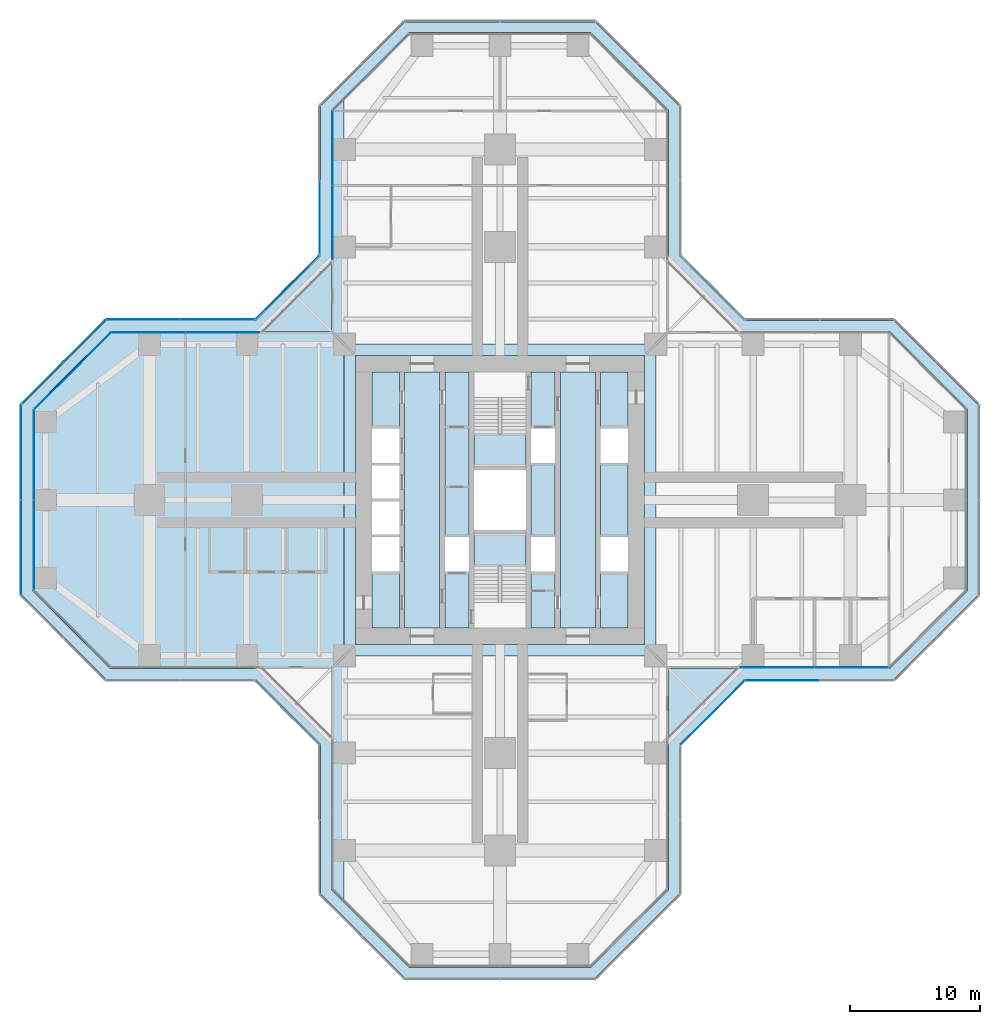
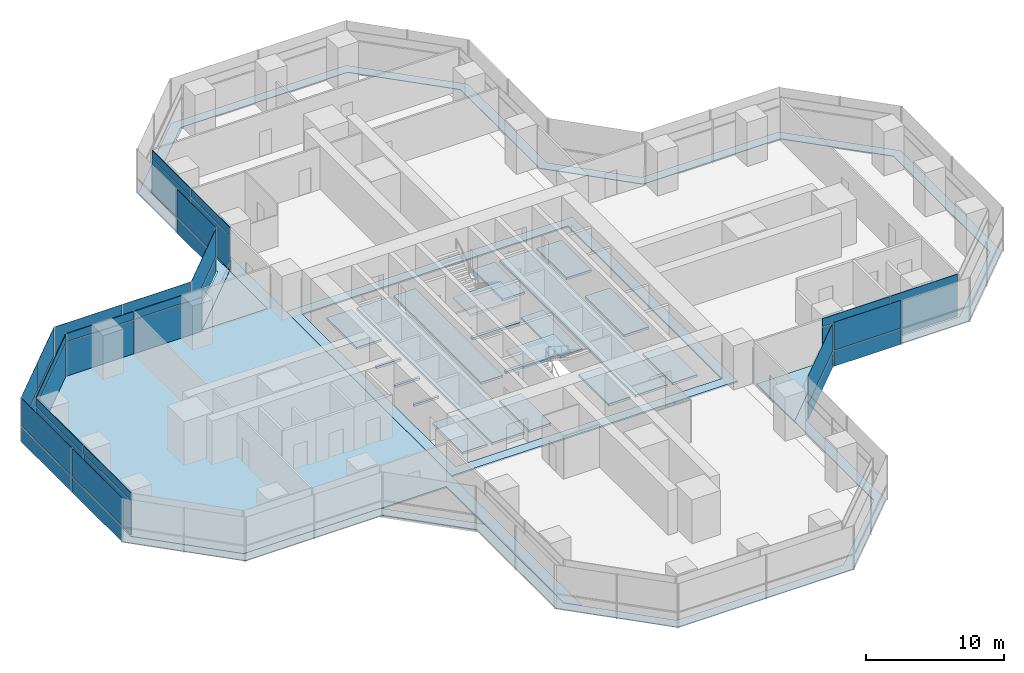
# One storey, part 15 of 22: 39 plates, 7 slabs, 14 elements without a shape of their own.
"""IFC4 building model written with IfcOpenShell, lengths in metres."""

from ifc_helpers import new_model, si_unit, direction, frame, origin, origin_2d, place, context, subcontext, project, spatial, polyline, rectangle, outline, extrude, material, layer, layer_set, type_object, element, aggregate, save


model = new_model("IFC4")

# Units and contexts
model_context = context("Model", 3, precision=1e-05, world=origin(), true_north=direction((0.0, 1.0)))
body_context = subcontext(model_context, "Body", "Model", "MODEL_VIEW")
ifc_project = project(units=[si_unit("LENGTHUNIT", "METRE"), si_unit("AREAUNIT", "SQUARE_METRE"), si_unit("VOLUMEUNIT", "CUBIC_METRE"), si_unit("PLANEANGLEUNIT", "RADIAN"), si_unit("MASSUNIT", "GRAM", prefix="KILO")], contexts=[model_context])

# Site, building, storey
site_placement = place(None, origin())
site = spatial("IfcSite", under=ifc_project, at=site_placement, CompositionType="ELEMENT")
building_placement = place(site_placement, origin())
building = spatial("IfcBuilding", under=site, at=building_placement, Name="Mizan Broadcast Tower", CompositionType="ELEMENT")
storey_placement = place(building_placement, frame((0.0, 0.0, 47.39990234375)))
storey = spatial("IfcBuildingStorey", under=building, at=storey_placement, Name="L08", CompositionType="ELEMENT", Elevation=47.39990234375)

# Plate
ifc_material_1 = material(Name="Aluminium grating", Category="aluminium")
ifc_layer_1 = layer(ifc_material_1, 0.050048828125)
ifc_layer_set_1 = layer_set([ifc_layer_1], Name="Aluminium grating")
plate_type_1 = type_object("IfcPlateType", Name="CAVITY GRATING", PredefinedType="USERDEFINED", material=ifc_layer_set_1)
plate_1_placement = place(storey_placement, frame((0.0, 0.0, -0.0498046875)))
element("IfcPlate", 1, at=plate_1_placement, inside=storey, type_object=plate_type_1, Name="Cavity grating L08", ObjectType="GRATING", PredefinedType="USERDEFINED", context=body_context, shape_type="SweptSolid", body=[
    extrude(outline(polyline([(13.820068359375, -18.839599609375), (18.839599609375, -13.820068359375), (30.339599609375, -13.820068359375), (36.820068359375, -7.339599609375), (36.820068359375, 7.339599609375), (30.339599609375, 13.820068359375), (18.839599609375, 13.820068359375), (13.820068359375, 18.839599609375), (13.820068359375, 30.339599609375), (7.339599609375, 36.820068359375), (-7.339599609375, 36.820068359375), (-13.820068359375, 30.339599609375), (-13.820068359375, 18.839599609375), (-18.839599609375, 13.820068359375), (-30.339599609375, 13.820068359375), (-36.820068359375, 7.339599609375), (-36.820068359375, -7.339599609375), (-30.339599609375, -13.820068359375), (-18.839599609375, -13.820068359375), (-13.820068359375, -18.839599609375), (-13.820068359375, -30.339599609375), (-7.339599609375, -36.820068359375), (7.339599609375, -36.820068359375), (13.820068359375, -30.339599609375), (13.820068359375, -18.839599609375)]), holes=[polyline([(36.0, 7.0), (36.0, -7.0), (30.0, -13.0), (18.5, -13.0), (13.0, -18.5), (13.0, -30.0), (7.0, -36.0), (-7.0, -36.0), (-13.0, -30.0), (-13.0, -18.5), (-18.5, -13.0), (-30.0, -13.0), (-36.0, -7.0), (-36.0, 7.0), (-30.0, 13.0), (-18.5, 13.0), (-13.0, 18.5), (-13.0, 30.0), (-7.0, 36.0), (7.0, 36.0), (13.0, 30.0), (13.0, 18.5), (18.5, 13.0), (30.0, 13.0), (36.0, 7.0)])]), origin(), (0.0, 0.0, 1.0), 0.0498046875),
])

# Slabs
ifc_material_2 = material(Name="Concrete C32/40", Category="concrete")
ifc_layer_2 = layer(ifc_material_2, 0.1298828125)
ifc_layer_set_2 = layer_set([ifc_layer_2], Name="Concrete C32/40")
slab_type_1 = type_object("IfcSlabType", Name="COMPOSITE DECK SLAB 130", PredefinedType="FLOOR", material=ifc_layer_set_2)
slab_1_placement = place(storey_placement, frame((0.0, 0.0, -0.1298828125)))
element("IfcSlab", 2, at=slab_1_placement, inside=storey, type_object=slab_type_1, Name="Floor slab L08 centre", PredefinedType="FLOOR", context=body_context, shape_type="SweptSolid", body=[
    extrude(outline(polyline([(-12.0, -12.0), (12.0, -12.0), (12.0, 12.0), (-12.0, 12.0), (-12.0, -12.0)]), holes=[polyline([(-11.14990234375, 11.14990234375), (11.14990234375, 11.14990234375), (11.14990234375, -11.14990234375), (-11.14990234375, -11.14990234375), (-11.14990234375, 11.14990234375)])]), origin(), (0.0, 0.0, 1.0), 0.1298828125),
])
slab_2_placement = place(storey_placement, frame((0.0, 0.0, -0.1298828125)))
element("IfcSlab", 3, at=slab_2_placement, inside=storey, type_object=slab_type_1, Name="Floor slab L08 west arm", PredefinedType="FLOOR", context=body_context, shape_type="SweptSolid", body=[
    extrude(outline(polyline([(-13.0, -30.0), (-12.0, -31.0), (-12.0, 31.0), (-13.0, 30.0), (-13.0, 13.0), (-30.0, 13.0), (-36.0, 7.0), (-36.0, -7.0), (-30.0, -13.0), (-13.0, -13.0), (-13.0, -30.0)])), origin(), (0.0, 0.0, 1.0), 0.1298828125),
])
ifc_material_3 = material(Name="Concrete C40/50", Category="concrete")
ifc_layer_3 = layer(ifc_material_3, 0.199951171875)
ifc_layer_set_3 = layer_set([ifc_layer_3], Name="Concrete C40/50")
slab_type_2 = type_object("IfcSlabType", Name="CORE FLOOR 200", PredefinedType="FLOOR", material=ifc_layer_set_3)
slab_3_placement = place(storey_placement, frame((0.0, 0.0, -0.199951171875)))
element("IfcSlab", 4, at=slab_3_placement, inside=storey, type_object=slab_type_2, Name="Core floor L08", PredefinedType="FLOOR", context=body_context, shape_type="SweptSolid", body=[
    extrude(outline(polyline([(-9.85009765625, -9.85009765625), (-7.75, -9.85009765625), (-7.75, -5.5), (-9.85009765625, -5.5), (-9.85009765625, -9.85009765625)])), origin(), (0.0, 0.0, 1.0), 0.199951171875),
    extrude(outline(polyline([(-9.85009765625, -2.85009765625), (-7.75, -2.85009765625), (-7.75, -2.64990234375), (-9.85009765625, -2.64990234375), (-9.85009765625, -2.85009765625)])), origin(), (0.0, 0.0, 1.0), 0.199951171875),
    extrude(outline(polyline([(-9.85009765625, -0.10009765625), (-7.75, -0.10009765625), (-7.75, 0.10009765625), (-9.85009765625, 0.10009765625), (-9.85009765625, -0.10009765625)])), origin(), (0.0, 0.0, 1.0), 0.199951171875),
    extrude(outline(polyline([(-9.85009765625, 2.64990234375), (-7.75, 2.64990234375), (-7.75, 2.85009765625), (-9.85009765625, 2.85009765625), (-9.85009765625, 2.64990234375)])), origin(), (0.0, 0.0, 1.0), 0.199951171875),
    extrude(outline(polyline([(-9.85009765625, 5.5), (-7.75, 5.5), (-7.75, 9.85009765625), (-9.85009765625, 9.85009765625), (-9.85009765625, 5.5)])), origin(), (0.0, 0.0, 1.0), 0.199951171875),
    extrude(outline(polyline([(-4.64990234375, 9.85009765625), (-7.35009765625, 9.85009765625), (-7.35009765625, -9.85009765625), (-4.64990234375, -9.85009765625), (-4.64990234375, 9.85009765625)])), origin(), (0.0, 0.0, 1.0), 0.199951171875),
    extrude(outline(polyline([(-4.25, -5.5), (-4.25, -9.85009765625), (-2.39990234375, -9.85009765625), (-2.39990234375, -5.5), (-4.25, -5.5)])), origin(), (0.0, 0.0, 1.0), 0.199951171875),
    extrude(outline(polyline([(-4.25, -2.85009765625), (-2.39990234375, -2.85009765625), (-2.39990234375, 9.85009765625), (-4.25, 9.85009765625), (-4.25, -2.85009765625)])), origin(), (0.0, 0.0, 1.0), 0.199951171875),
    extrude(outline(polyline([(2.0, -2.324951171875), (-2.0, -2.324951171875), (-2.0, -2.574951171875), (2.0, -2.574951171875), (2.0, -2.324951171875)])), origin(), (0.0, 0.0, 1.0), 0.199951171875),
    extrude(outline(polyline([(2.0, 2.574951171875), (-2.0, 2.574951171875), (-2.0, 2.324951171875), (2.0, 2.324951171875), (2.0, 2.574951171875)])), origin(), (0.0, 0.0, 1.0), 0.199951171875),
    extrude(outline(polyline([(4.25, -9.85009765625), (4.25, -5.5), (2.39990234375, -5.5), (2.39990234375, -9.85009765625), (4.25, -9.85009765625)])), origin(), (0.0, 0.0, 1.0), 0.199951171875),
    extrude(outline(polyline([(4.25, -2.85009765625), (4.25, 2.85009765625), (2.39990234375, 2.85009765625), (2.39990234375, -2.85009765625), (4.25, -2.85009765625)])), origin(), (0.0, 0.0, 1.0), 0.199951171875),
    extrude(outline(polyline([(4.25, 5.5), (4.25, 9.85009765625), (2.39990234375, 9.85009765625), (2.39990234375, 5.5), (4.25, 5.5)])), origin(), (0.0, 0.0, 1.0), 0.199951171875),
    extrude(outline(polyline([(4.64990234375, 9.85009765625), (4.64990234375, -9.85009765625), (7.35009765625, -9.85009765625), (7.35009765625, 9.85009765625), (4.64990234375, 9.85009765625)])), origin(), (0.0, 0.0, 1.0), 0.199951171875),
    extrude(outline(polyline([(9.85009765625, -9.85009765625), (9.85009765625, -5.5), (7.75, -5.5), (7.75, -9.85009765625), (9.85009765625, -9.85009765625)])), origin(), (0.0, 0.0, 1.0), 0.199951171875),
    extrude(outline(polyline([(7.75, 2.85009765625), (7.75, -2.85009765625), (9.85009765625, -2.85009765625), (9.85009765625, 2.85009765625), (7.75, 2.85009765625)])), origin(), (0.0, 0.0, 1.0), 0.199951171875),
    extrude(outline(polyline([(9.85009765625, 5.5), (9.85009765625, 9.85009765625), (7.75, 9.85009765625), (7.75, 5.5), (9.85009765625, 5.5)])), origin(), (0.0, 0.0, 1.0), 0.199951171875),
])

# Curtain wall, plates
ifc_material_4 = material(Name="Aluminium framed glazing", Category="aluminium")
curtain_wall_type_1 = type_object("IfcCurtainWallType", Name="INNER SKIN LOW ZONE", PredefinedType="USERDEFINED", material=ifc_material_4)
curtain_wall_1_placement = place(storey_placement, origin())
curtain_wall_1 = element("IfcCurtainWall", 5, at=curtain_wall_1_placement, inside=storey, type_object=curtain_wall_type_1, Name="Inner skin low zone L08 E side", ObjectType="INNER SKIN LOW ZONE", PredefinedType="USERDEFINED")
ifc_material_5 = material(Name="Double glazing, clear low-e", Category="glass")
ifc_layer_4 = layer(ifc_material_5, 0.028076171875)
ifc_layer_set_4 = layer_set([ifc_layer_4], Name="Double glazing, clear low-e")
plate_type_2 = type_object("IfcPlateType", Name="INNER SKIN GLAZING UNIT", PredefinedType="CURTAIN_PANEL", material=ifc_layer_set_4)
plate_2_placement = place(storey_placement, frame((21.379638671875, -12.89990234375, 0.0), z_axis=(0.0, 0.0, 1.0), x_axis=(1.0, 0.0, 0.0)))
plate_2 = element("IfcPlate", 6, at=plate_2_placement, type_object=plate_type_2, Name="Inner skin low zone L08 E side panel 1.1", PredefinedType="CURTAIN_PANEL", context=body_context, shape_type="SweptSolid", body=[
    extrude(rectangle(XDim=5.639404296875, YDim=0.028076171875, at=origin_2d()), origin(), (0.0, 0.0, 1.0), 3.0),
])
plate_3_placement = place(storey_placement, frame((27.078857421875, -12.89990234375, 0.0), z_axis=(0.0, 0.0, 1.0), x_axis=(1.0, 0.0, 0.0)))
plate_3 = element("IfcPlate", 7, at=plate_3_placement, type_object=plate_type_2, Name="Inner skin low zone L08 E side panel 2.1", PredefinedType="CURTAIN_PANEL", context=body_context, shape_type="SweptSolid", body=[
    extrude(rectangle(XDim=5.639404296875, YDim=0.028076171875, at=origin_2d()), origin(), (0.0, 0.0, 1.0), 3.0),
])

curtain_wall_2_placement = place(storey_placement, origin())
curtain_wall_2 = element("IfcCurtainWall", 8, at=curtain_wall_2_placement, inside=storey, type_object=curtain_wall_type_1, Name="Inner skin low zone L08 N side", ObjectType="INNER SKIN LOW ZONE", PredefinedType="USERDEFINED")
plate_4_placement = place(storey_placement, frame((-12.89990234375, 27.078857421875, 0.0), z_axis=(0.0, 0.0, 1.0), x_axis=(0.0, -1.0, 0.0)))
plate_4 = element("IfcPlate", 9, at=plate_4_placement, type_object=plate_type_2, Name="Inner skin low zone L08 N side panel 1.1", PredefinedType="CURTAIN_PANEL", context=body_context, shape_type="SweptSolid", body=[
    extrude(rectangle(XDim=5.639404296875, YDim=0.028076171875, at=origin_2d()), origin(), (0.0, 0.0, 1.0), 3.0),
])
plate_5_placement = place(storey_placement, frame((-12.89990234375, 21.379638671875, 0.0), z_axis=(0.0, 0.0, 1.0), x_axis=(0.0, -1.0, 0.0)))
plate_5 = element("IfcPlate", 10, at=plate_5_placement, type_object=plate_type_2, Name="Inner skin low zone L08 N side panel 2.1", PredefinedType="CURTAIN_PANEL", context=body_context, shape_type="SweptSolid", body=[
    extrude(rectangle(XDim=5.639404296875, YDim=0.028076171875, at=origin_2d()), origin(), (0.0, 0.0, 1.0), 3.0),
])

curtain_wall_3_placement = place(storey_placement, origin())
curtain_wall_3 = element("IfcCurtainWall", 11, at=curtain_wall_3_placement, inside=storey, type_object=curtain_wall_type_1, Name="Inner skin low zone L08 W side", ObjectType="INNER SKIN LOW ZONE", PredefinedType="USERDEFINED")
plate_6_placement = place(storey_placement, frame((-21.379638671875, 12.89990234375, 0.0), z_axis=(0.0, 0.0, 1.0), x_axis=(-1.0, 0.0, 0.0)))
plate_6 = element("IfcPlate", 12, at=plate_6_placement, type_object=plate_type_2, Name="Inner skin low zone L08 W side panel 1.1", PredefinedType="CURTAIN_PANEL", context=body_context, shape_type="SweptSolid", body=[
    extrude(rectangle(XDim=5.639404296875, YDim=0.028076171875, at=origin_2d()), origin(), (0.0, 0.0, 1.0), 3.0),
])
plate_7_placement = place(storey_placement, frame((-27.078857421875, 12.89990234375, 0.0), z_axis=(0.0, 0.0, 1.0), x_axis=(-1.0, 0.0, 0.0)))
plate_7 = element("IfcPlate", 13, at=plate_7_placement, type_object=plate_type_2, Name="Inner skin low zone L08 W side panel 2.1", PredefinedType="CURTAIN_PANEL", context=body_context, shape_type="SweptSolid", body=[
    extrude(rectangle(XDim=5.639404296875, YDim=0.028076171875, at=origin_2d()), origin(), (0.0, 0.0, 1.0), 3.0),
])

# Curtain wall, plate
curtain_wall_4_placement = place(storey_placement, origin())
curtain_wall_4 = element("IfcCurtainWall", 14, at=curtain_wall_4_placement, inside=storey, type_object=curtain_wall_type_1, Name="Inner skin low zone L08 W chamfer", ObjectType="INNER SKIN LOW ZONE", PredefinedType="USERDEFINED")
plate_8_placement = place(storey_placement, frame((-32.92919921875, 9.92919921875, 0.0), z_axis=(0.0, 0.0, 1.0), x_axis=(-0.707106781187, -0.707106781187, 0.0)))
plate_8 = element("IfcPlate", 15, at=plate_8_placement, type_object=plate_type_2, Name="Inner skin low zone L08 W chamfer panel 1.1", PredefinedType="CURTAIN_PANEL", context=body_context, shape_type="SweptSolid", body=[
    extrude(rectangle(XDim=8.282470703125, YDim=0.028076171875, at=origin_2d()), origin(), (0.0, 0.0, 1.0), 3.0),
])

# Curtain wall, plates
curtain_wall_5_placement = place(storey_placement, origin())
curtain_wall_5 = element("IfcCurtainWall", 16, at=curtain_wall_5_placement, inside=storey, type_object=curtain_wall_type_1, Name="Inner skin low zone L08 W end", ObjectType="INNER SKIN LOW ZONE", PredefinedType="USERDEFINED")
plate_9_placement = place(storey_placement, frame((-35.89990234375, 3.46435546875, 0.0), z_axis=(0.0, 0.0, 1.0), x_axis=(0.0, -1.0, 0.0)))
plate_9 = element("IfcPlate", 17, at=plate_9_placement, type_object=plate_type_2, Name="Inner skin low zone L08 W end panel 1.1", PredefinedType="CURTAIN_PANEL", context=body_context, shape_type="SweptSolid", body=[
    extrude(rectangle(XDim=6.86865234375, YDim=0.028076171875, at=origin_2d()), origin(), (0.0, 0.0, 1.0), 3.0),
])
plate_10_placement = place(storey_placement, frame((-35.89990234375, -3.46435546875, 0.0), z_axis=(0.0, 0.0, 1.0), x_axis=(0.0, -1.0, 0.0)))
plate_10 = element("IfcPlate", 18, at=plate_10_placement, type_object=plate_type_2, Name="Inner skin low zone L08 W end panel 2.1", PredefinedType="CURTAIN_PANEL", context=body_context, shape_type="SweptSolid", body=[
    extrude(rectangle(XDim=6.86865234375, YDim=0.028076171875, at=origin_2d()), origin(), (0.0, 0.0, 1.0), 3.0),
])

# Plate
ifc_material_6 = material(Name="Insulated aluminium spandrel panel, pale anodised", Category="aluminium")
ifc_layer_5 = layer(ifc_material_6, 0.050048828125)
ifc_layer_set_5 = layer_set([ifc_layer_5], Name="Insulated aluminium spandrel panel, pale anodised")
plate_type_3 = type_object("IfcPlateType", Name="INNER SKIN SPANDREL PANEL", PredefinedType="CURTAIN_PANEL", material=ifc_layer_set_5)
plate_11_placement = place(storey_placement, frame((21.379638671875, -12.89990234375, 3.06005859375), z_axis=(0.0, 0.0, 1.0), x_axis=(1.0, 0.0, 0.0)))
plate_11 = element("IfcPlate", 19, at=plate_11_placement, type_object=plate_type_3, Name="Inner skin low zone L08 E side panel 1.2", PredefinedType="CURTAIN_PANEL", context=body_context, shape_type="SweptSolid", body=[
    extrude(rectangle(XDim=5.639404296875, YDim=0.050048828125, at=origin_2d()), origin(), (0.0, 0.0, 1.0), 0.7099609375),
])

plate_12_placement = place(storey_placement, frame((27.078857421875, -12.89990234375, 3.06005859375), z_axis=(0.0, 0.0, 1.0), x_axis=(1.0, 0.0, 0.0)))
plate_12 = element("IfcPlate", 20, at=plate_12_placement, type_object=plate_type_3, Name="Inner skin low zone L08 E side panel 2.2", PredefinedType="CURTAIN_PANEL", context=body_context, shape_type="SweptSolid", body=[
    extrude(rectangle(XDim=5.639404296875, YDim=0.050048828125, at=origin_2d()), origin(), (0.0, 0.0, 1.0), 0.7099609375),
])

aggregate(curtain_wall_1, [plate_2, plate_11, plate_3, plate_12])

plate_13_placement = place(storey_placement, frame((-12.89990234375, 27.078857421875, 3.06005859375), z_axis=(0.0, 0.0, 1.0), x_axis=(0.0, -1.0, 0.0)))
plate_13 = element("IfcPlate", 21, at=plate_13_placement, type_object=plate_type_3, Name="Inner skin low zone L08 N side panel 1.2", PredefinedType="CURTAIN_PANEL", context=body_context, shape_type="SweptSolid", body=[
    extrude(rectangle(XDim=5.639404296875, YDim=0.050048828125, at=origin_2d()), origin(), (0.0, 0.0, 1.0), 0.7099609375),
])

plate_14_placement = place(storey_placement, frame((-12.89990234375, 21.379638671875, 3.06005859375), z_axis=(0.0, 0.0, 1.0), x_axis=(0.0, -1.0, 0.0)))
plate_14 = element("IfcPlate", 22, at=plate_14_placement, type_object=plate_type_3, Name="Inner skin low zone L08 N side panel 2.2", PredefinedType="CURTAIN_PANEL", context=body_context, shape_type="SweptSolid", body=[
    extrude(rectangle(XDim=5.639404296875, YDim=0.050048828125, at=origin_2d()), origin(), (0.0, 0.0, 1.0), 0.7099609375),
])

aggregate(curtain_wall_2, [plate_4, plate_13, plate_5, plate_14])

plate_15_placement = place(storey_placement, frame((-21.379638671875, 12.89990234375, 3.06005859375), z_axis=(0.0, 0.0, 1.0), x_axis=(-1.0, 0.0, 0.0)))
plate_15 = element("IfcPlate", 23, at=plate_15_placement, type_object=plate_type_3, Name="Inner skin low zone L08 W side panel 1.2", PredefinedType="CURTAIN_PANEL", context=body_context, shape_type="SweptSolid", body=[
    extrude(rectangle(XDim=5.639404296875, YDim=0.050048828125, at=origin_2d()), origin(), (0.0, 0.0, 1.0), 0.7099609375),
])

plate_16_placement = place(storey_placement, frame((-27.078857421875, 12.89990234375, 3.06005859375), z_axis=(0.0, 0.0, 1.0), x_axis=(-1.0, 0.0, 0.0)))
plate_16 = element("IfcPlate", 24, at=plate_16_placement, type_object=plate_type_3, Name="Inner skin low zone L08 W side panel 2.2", PredefinedType="CURTAIN_PANEL", context=body_context, shape_type="SweptSolid", body=[
    extrude(rectangle(XDim=5.639404296875, YDim=0.050048828125, at=origin_2d()), origin(), (0.0, 0.0, 1.0), 0.7099609375),
])

aggregate(curtain_wall_3, [plate_6, plate_15, plate_7, plate_16])

plate_17_placement = place(storey_placement, frame((-32.92919921875, 9.92919921875, 3.06005859375), z_axis=(0.0, 0.0, 1.0), x_axis=(-0.707106781187, -0.707106781187, 0.0)))
plate_17 = element("IfcPlate", 25, at=plate_17_placement, type_object=plate_type_3, Name="Inner skin low zone L08 W chamfer panel 1.2", PredefinedType="CURTAIN_PANEL", context=body_context, shape_type="SweptSolid", body=[
    extrude(rectangle(XDim=8.282470703125, YDim=0.050048828125, at=origin_2d()), origin(), (0.0, 0.0, 1.0), 0.7099609375),
])

aggregate(curtain_wall_4, [plate_8, plate_17])

plate_18_placement = place(storey_placement, frame((-35.89990234375, 3.46435546875, 3.06005859375), z_axis=(0.0, 0.0, 1.0), x_axis=(0.0, -1.0, 0.0)))
plate_18 = element("IfcPlate", 26, at=plate_18_placement, type_object=plate_type_3, Name="Inner skin low zone L08 W end panel 1.2", PredefinedType="CURTAIN_PANEL", context=body_context, shape_type="SweptSolid", body=[
    extrude(rectangle(XDim=6.86865234375, YDim=0.050048828125, at=origin_2d()), origin(), (0.0, 0.0, 1.0), 0.7099609375),
])

plate_19_placement = place(storey_placement, frame((-35.89990234375, -3.46435546875, 3.06005859375), z_axis=(0.0, 0.0, 1.0), x_axis=(0.0, -1.0, 0.0)))
plate_19 = element("IfcPlate", 27, at=plate_19_placement, type_object=plate_type_3, Name="Inner skin low zone L08 W end panel 2.2", PredefinedType="CURTAIN_PANEL", context=body_context, shape_type="SweptSolid", body=[
    extrude(rectangle(XDim=6.86865234375, YDim=0.050048828125, at=origin_2d()), origin(), (0.0, 0.0, 1.0), 0.7099609375),
])

aggregate(curtain_wall_5, [plate_9, plate_18, plate_10, plate_19])

# Curtain wall, plates
ifc_material_7 = material(Name="Aluminium framed glazing", Category="aluminium")
curtain_wall_type_2 = type_object("IfcCurtainWallType", Name="OUTER SKIN", PredefinedType="USERDEFINED", material=ifc_material_7)
curtain_wall_6_placement = place(storey_placement, origin())
curtain_wall_6 = element("IfcCurtainWall", 28, at=curtain_wall_6_placement, inside=storey, type_object=curtain_wall_type_2, Name="Outer skin L08 W chamfer", ObjectType="OUTER SKIN", PredefinedType="USERDEFINED")
ifc_material_8 = material(Name="Laminated clear glass", Category="glass")
ifc_layer_6 = layer(ifc_material_8, 0.02001953125)
ifc_layer_set_6 = layer_set([ifc_layer_6], Name="Laminated clear glass")
plate_type_4 = type_object("IfcPlateType", Name="OUTER SKIN CLEAR GLASS", PredefinedType="CURTAIN_PANEL", material=ifc_layer_set_6)
plate_20_placement = place(storey_placement, frame((-16.386474609375, 16.386474609375, 0.0), z_axis=(0.0, 0.0, 1.0), x_axis=(-0.707106781187, -0.707106781187, 0.0)))
plate_20 = element("IfcPlate", 29, at=plate_20_placement, type_object=plate_type_4, Name="Outer skin L08 W chamfer panel 1.1", PredefinedType="CURTAIN_PANEL", context=body_context, shape_type="SweptSolid", body=[
    extrude(rectangle(XDim=6.87255859375, YDim=0.02001953125, at=origin_2d()), origin(), (0.0, 0.0, 1.0), 1.3701171875),
])
plate_21_placement = place(storey_placement, frame((-16.386474609375, 16.386474609375, 1.43017578125), z_axis=(0.0, 0.0, 1.0), x_axis=(-0.707106781187, -0.707106781187, 0.0)))
plate_21 = element("IfcPlate", 30, at=plate_21_placement, type_object=plate_type_4, Name="Outer skin L08 W chamfer panel 1.2", PredefinedType="CURTAIN_PANEL", context=body_context, shape_type="SweptSolid", body=[
    extrude(rectangle(XDim=6.87255859375, YDim=0.02001953125, at=origin_2d()), origin(), (0.0, 0.0, 1.0), 2.469970703125),
])
aggregate(curtain_wall_6, [plate_20, plate_21])

curtain_wall_7_placement = place(storey_placement, origin())
curtain_wall_7 = element("IfcCurtainWall", 31, at=curtain_wall_7_placement, inside=storey, type_object=curtain_wall_type_2, Name="Outer skin L08 W side", ObjectType="OUTER SKIN", PredefinedType="USERDEFINED")
plate_22_placement = place(storey_placement, frame((-21.767822265625, 13.89990234375, 0.0), z_axis=(0.0, 0.0, 1.0), x_axis=(-1.0, 0.0, 0.0)))
plate_22 = element("IfcPlate", 32, at=plate_22_placement, type_object=plate_type_4, Name="Outer skin L08 W side panel 1.1", PredefinedType="CURTAIN_PANEL", context=body_context, shape_type="SweptSolid", body=[
    extrude(rectangle(XDim=5.6298828125, YDim=0.02001953125, at=origin_2d()), origin(), (0.0, 0.0, 1.0), 1.3701171875),
])
plate_23_placement = place(storey_placement, frame((-21.767822265625, 13.89990234375, 1.43017578125), z_axis=(0.0, 0.0, 1.0), x_axis=(-1.0, 0.0, 0.0)))
plate_23 = element("IfcPlate", 33, at=plate_23_placement, type_object=plate_type_4, Name="Outer skin L08 W side panel 1.2", PredefinedType="CURTAIN_PANEL", context=body_context, shape_type="SweptSolid", body=[
    extrude(rectangle(XDim=5.6298828125, YDim=0.02001953125, at=origin_2d()), origin(), (0.0, 0.0, 1.0), 2.469970703125),
])
plate_24_placement = place(storey_placement, frame((-27.477783203125, 13.89990234375, 0.0), z_axis=(0.0, 0.0, 1.0), x_axis=(-1.0, 0.0, 0.0)))
plate_24 = element("IfcPlate", 34, at=plate_24_placement, type_object=plate_type_4, Name="Outer skin L08 W side panel 2.1", PredefinedType="CURTAIN_PANEL", context=body_context, shape_type="SweptSolid", body=[
    extrude(rectangle(XDim=5.6298828125, YDim=0.02001953125, at=origin_2d()), origin(), (0.0, 0.0, 1.0), 1.3701171875),
])
plate_25_placement = place(storey_placement, frame((-27.477783203125, 13.89990234375, 1.43017578125), z_axis=(0.0, 0.0, 1.0), x_axis=(-1.0, 0.0, 0.0)))
plate_25 = element("IfcPlate", 35, at=plate_25_placement, type_object=plate_type_4, Name="Outer skin L08 W side panel 2.2", PredefinedType="CURTAIN_PANEL", context=body_context, shape_type="SweptSolid", body=[
    extrude(rectangle(XDim=5.6298828125, YDim=0.02001953125, at=origin_2d()), origin(), (0.0, 0.0, 1.0), 2.469970703125),
])
aggregate(curtain_wall_7, [plate_22, plate_23, plate_24, plate_25])

curtain_wall_8_placement = place(storey_placement, origin())
curtain_wall_8 = element("IfcCurtainWall", 36, at=curtain_wall_8_placement, inside=storey, type_object=curtain_wall_type_2, Name="Outer skin L08 W chamfer", ObjectType="OUTER SKIN", PredefinedType="USERDEFINED")
plate_26_placement = place(storey_placement, frame((-32.018798828125, 12.254150390625, 0.0), z_axis=(0.0, 0.0, 1.0), x_axis=(-0.707106781187, -0.707106781187, 0.0)))
plate_26 = element("IfcPlate", 37, at=plate_26_placement, type_object=plate_type_4, Name="Outer skin L08 W chamfer panel 1.1", PredefinedType="CURTAIN_PANEL", context=body_context, shape_type="SweptSolid", body=[
    extrude(rectangle(XDim=4.495361328125, YDim=0.02001953125, at=origin_2d()), origin(), (0.0, 0.0, 1.0), 1.3701171875),
])
plate_27_placement = place(storey_placement, frame((-32.018798828125, 12.254150390625, 1.43017578125), z_axis=(0.0, 0.0, 1.0), x_axis=(-0.707106781187, -0.707106781187, 0.0)))
plate_27 = element("IfcPlate", 38, at=plate_27_placement, type_object=plate_type_4, Name="Outer skin L08 W chamfer panel 1.2", PredefinedType="CURTAIN_PANEL", context=body_context, shape_type="SweptSolid", body=[
    extrude(rectangle(XDim=4.495361328125, YDim=0.02001953125, at=origin_2d()), origin(), (0.0, 0.0, 1.0), 2.469970703125),
])

curtain_wall_9_placement = place(storey_placement, origin())
curtain_wall_9 = element("IfcCurtainWall", 39, at=curtain_wall_9_placement, inside=storey, type_object=curtain_wall_type_2, Name="Outer skin L08 W end", ObjectType="OUTER SKIN", PredefinedType="USERDEFINED")
plate_28_placement = place(storey_placement, frame((-36.89990234375, 3.66650390625, 0.0), z_axis=(0.0, 0.0, 1.0), x_axis=(0.0, -1.0, 0.0)))
plate_28 = element("IfcPlate", 40, at=plate_28_placement, type_object=plate_type_4, Name="Outer skin L08 W end panel 1.1", PredefinedType="CURTAIN_PANEL", context=body_context, shape_type="SweptSolid", body=[
    extrude(rectangle(XDim=7.252685546875, YDim=0.02001953125, at=origin_2d()), origin(), (0.0, 0.0, 1.0), 1.3701171875),
])
plate_29_placement = place(storey_placement, frame((-36.89990234375, 3.66650390625, 1.43017578125), z_axis=(0.0, 0.0, 1.0), x_axis=(0.0, -1.0, 0.0)))
plate_29 = element("IfcPlate", 41, at=plate_29_placement, type_object=plate_type_4, Name="Outer skin L08 W end panel 1.2", PredefinedType="CURTAIN_PANEL", context=body_context, shape_type="SweptSolid", body=[
    extrude(rectangle(XDim=7.252685546875, YDim=0.02001953125, at=origin_2d()), origin(), (0.0, 0.0, 1.0), 2.469970703125),
])

curtain_wall_10_placement = place(storey_placement, origin())
curtain_wall_10 = element("IfcCurtainWall", 42, at=curtain_wall_10_placement, inside=storey, type_object=curtain_wall_type_2, Name="Outer skin L08 E chamfer", ObjectType="OUTER SKIN", PredefinedType="USERDEFINED")
plate_30_placement = place(storey_placement, frame((16.386474609375, -16.386474609375, 0.0), z_axis=(0.0, 0.0, 1.0), x_axis=(0.707106781187, 0.707106781187, 0.0)))
plate_30 = element("IfcPlate", 43, at=plate_30_placement, type_object=plate_type_4, Name="Outer skin L08 E chamfer panel 1.1", PredefinedType="CURTAIN_PANEL", context=body_context, shape_type="SweptSolid", body=[
    extrude(rectangle(XDim=6.87255859375, YDim=0.02001953125, at=origin_2d()), origin(), (0.0, 0.0, 1.0), 1.3701171875),
])
plate_31_placement = place(storey_placement, frame((16.386474609375, -16.386474609375, 1.43017578125), z_axis=(0.0, 0.0, 1.0), x_axis=(0.707106781187, 0.707106781187, 0.0)))
plate_31 = element("IfcPlate", 44, at=plate_31_placement, type_object=plate_type_4, Name="Outer skin L08 E chamfer panel 1.2", PredefinedType="CURTAIN_PANEL", context=body_context, shape_type="SweptSolid", body=[
    extrude(rectangle(XDim=6.87255859375, YDim=0.02001953125, at=origin_2d()), origin(), (0.0, 0.0, 1.0), 2.469970703125),
])
aggregate(curtain_wall_10, [plate_30, plate_31])

curtain_wall_11_placement = place(storey_placement, origin())
curtain_wall_11 = element("IfcCurtainWall", 45, at=curtain_wall_11_placement, inside=storey, type_object=curtain_wall_type_2, Name="Outer skin L08 E side", ObjectType="OUTER SKIN", PredefinedType="USERDEFINED")
plate_32_placement = place(storey_placement, frame((21.767822265625, -13.89990234375, 0.0), z_axis=(0.0, 0.0, 1.0), x_axis=(1.0, 0.0, 0.0)))
plate_32 = element("IfcPlate", 46, at=plate_32_placement, type_object=plate_type_4, Name="Outer skin L08 E side panel 1.1", PredefinedType="CURTAIN_PANEL", context=body_context, shape_type="SweptSolid", body=[
    extrude(rectangle(XDim=5.6298828125, YDim=0.02001953125, at=origin_2d()), origin(), (0.0, 0.0, 1.0), 1.3701171875),
])
plate_33_placement = place(storey_placement, frame((21.767822265625, -13.89990234375, 1.43017578125), z_axis=(0.0, 0.0, 1.0), x_axis=(1.0, 0.0, 0.0)))
plate_33 = element("IfcPlate", 47, at=plate_33_placement, type_object=plate_type_4, Name="Outer skin L08 E side panel 1.2", PredefinedType="CURTAIN_PANEL", context=body_context, shape_type="SweptSolid", body=[
    extrude(rectangle(XDim=5.6298828125, YDim=0.02001953125, at=origin_2d()), origin(), (0.0, 0.0, 1.0), 2.469970703125),
])
aggregate(curtain_wall_11, [plate_32, plate_33])

curtain_wall_12_placement = place(storey_placement, origin())
curtain_wall_12 = element("IfcCurtainWall", 48, at=curtain_wall_12_placement, inside=storey, type_object=curtain_wall_type_2, Name="Outer skin L08 N side", ObjectType="OUTER SKIN", PredefinedType="USERDEFINED")
ifc_material_9 = material(Name="Perforated aluminium, pale anodised", Category="aluminium")
ifc_layer_7 = layer(ifc_material_9, 0.011962890625)
ifc_layer_set_7 = layer_set([ifc_layer_7], Name="Perforated aluminium, pale anodised")
plate_type_5 = type_object("IfcPlateType", Name="OUTER SKIN PERFORATED SCREEN", PredefinedType="USERDEFINED", material=ifc_layer_set_7)
plate_34_placement = place(storey_placement, frame((-13.89990234375, 21.767822265625, 0.0), z_axis=(0.0, 0.0, 1.0), x_axis=(0.0, -1.0, 0.0)))
plate_34 = element("IfcPlate", 49, at=plate_34_placement, type_object=plate_type_5, Name="Outer skin L08 N side panel 2.1", ObjectType="SCREEN", PredefinedType="USERDEFINED", context=body_context, shape_type="SweptSolid", body=[
    extrude(rectangle(XDim=5.6298828125, YDim=0.011962890625, at=origin_2d()), origin(), (0.0, 0.0, 1.0), 1.3701171875),
])
plate_35_placement = place(storey_placement, frame((-13.89990234375, 21.767822265625, 1.43017578125), z_axis=(0.0, 0.0, 1.0), x_axis=(0.0, -1.0, 0.0)))
plate_35 = element("IfcPlate", 50, at=plate_35_placement, type_object=plate_type_5, Name="Outer skin L08 N side panel 2.2", ObjectType="SCREEN", PredefinedType="USERDEFINED", context=body_context, shape_type="SweptSolid", body=[
    extrude(rectangle(XDim=5.6298828125, YDim=0.011962890625, at=origin_2d()), origin(), (0.0, 0.0, 1.0), 2.469970703125),
])
aggregate(curtain_wall_12, [plate_34, plate_35])

# Plate
plate_36_placement = place(storey_placement, frame((-35.254150390625, 9.018798828125, 0.0), z_axis=(0.0, 0.0, 1.0), x_axis=(-0.707106781187, -0.707106781187, 0.0)))
plate_36 = element("IfcPlate", 51, at=plate_36_placement, type_object=plate_type_5, Name="Outer skin L08 W chamfer panel 2.1", ObjectType="SCREEN", PredefinedType="USERDEFINED", context=body_context, shape_type="SweptSolid", body=[
    extrude(rectangle(XDim=4.495361328125, YDim=0.011962890625, at=origin_2d()), origin(), (0.0, 0.0, 1.0), 1.3701171875),
])

plate_37_placement = place(storey_placement, frame((-35.254150390625, 9.018798828125, 1.43017578125), z_axis=(0.0, 0.0, 1.0), x_axis=(-0.707106781187, -0.707106781187, 0.0)))
plate_37 = element("IfcPlate", 52, at=plate_37_placement, type_object=plate_type_5, Name="Outer skin L08 W chamfer panel 2.2", ObjectType="SCREEN", PredefinedType="USERDEFINED", context=body_context, shape_type="SweptSolid", body=[
    extrude(rectangle(XDim=4.495361328125, YDim=0.011962890625, at=origin_2d()), origin(), (0.0, 0.0, 1.0), 2.469970703125),
])

aggregate(curtain_wall_8, [plate_26, plate_27, plate_36, plate_37])

plate_38_placement = place(storey_placement, frame((-36.89990234375, -3.66650390625, 0.0), z_axis=(0.0, 0.0, 1.0), x_axis=(0.0, -1.0, 0.0)))
plate_38 = element("IfcPlate", 53, at=plate_38_placement, type_object=plate_type_5, Name="Outer skin L08 W end panel 2.1", ObjectType="SCREEN", PredefinedType="USERDEFINED", context=body_context, shape_type="SweptSolid", body=[
    extrude(rectangle(XDim=7.252685546875, YDim=0.011962890625, at=origin_2d()), origin(), (0.0, 0.0, 1.0), 1.3701171875),
])

plate_39_placement = place(storey_placement, frame((-36.89990234375, -3.66650390625, 1.43017578125), z_axis=(0.0, 0.0, 1.0), x_axis=(0.0, -1.0, 0.0)))
plate_39 = element("IfcPlate", 54, at=plate_39_placement, type_object=plate_type_5, Name="Outer skin L08 W end panel 2.2", ObjectType="SCREEN", PredefinedType="USERDEFINED", context=body_context, shape_type="SweptSolid", body=[
    extrude(rectangle(XDim=7.252685546875, YDim=0.011962890625, at=origin_2d()), origin(), (0.0, 0.0, 1.0), 2.469970703125),
])

aggregate(curtain_wall_9, [plate_28, plate_29, plate_38, plate_39])

# Stair, slab
ifc_material_10 = material(Name="Concrete C40/50", Category="concrete")
stair_type = type_object("IfcStairType", Name="EXIT STAIR", PredefinedType="HALF_TURN_STAIR", material=ifc_material_10)
stair_1_placement = place(storey_placement, origin())
stair_1 = element("IfcStair", 55, at=stair_1_placement, inside=storey, type_object=stair_type, Name="Stair A L08", PredefinedType="HALF_TURN_STAIR")
ifc_material_11 = material(Name="Concrete C40/50", Category="concrete")
ifc_layer_8 = layer(ifc_material_11, 0.199951171875)
ifc_layer_set_8 = layer_set([ifc_layer_8], Name="Concrete C40/50")
slab_type_3 = type_object("IfcSlabType", Name="STAIR LANDING 200", PredefinedType="LANDING", material=ifc_layer_set_8)
slab_4_placement = place(storey_placement, frame((0.0, 0.0, 1.75)))
slab_4 = element("IfcSlab", 56, at=slab_4_placement, type_object=slab_type_3, Name="A landing 2", PredefinedType="LANDING", context=body_context, shape_type="SweptSolid", body=[
    extrude(outline(polyline([(-2.0, -5.10009765625), (-2.0, -2.574951171875), (2.0, -2.574951171875), (2.0, -5.10009765625), (-2.0, -5.10009765625)])), origin(), (0.0, 0.0, 1.0), 0.2001953125),
])
aggregate(stair_1, [slab_4])

stair_2_placement = place(storey_placement, origin())
stair_2 = element("IfcStair", 57, at=stair_2_placement, inside=storey, type_object=stair_type, Name="Stair B L08", PredefinedType="HALF_TURN_STAIR")
slab_5_placement = place(storey_placement, frame((0.0, 0.0, 1.75)))
slab_5 = element("IfcSlab", 58, at=slab_5_placement, type_object=slab_type_3, Name="B landing 2", PredefinedType="LANDING", context=body_context, shape_type="SweptSolid", body=[
    extrude(outline(polyline([(2.0, 5.10009765625), (2.0, 2.574951171875), (-2.0, 2.574951171875), (-2.0, 5.10009765625), (2.0, 5.10009765625)])), origin(), (0.0, 0.0, 1.0), 0.2001953125),
])
aggregate(stair_2, [slab_5])

# Slabs
ifc_material_12 = material(Name="Concrete C32/40", Category="concrete")
ifc_layer_9 = layer(ifc_material_12, 0.1298828125)
ifc_layer_set_9 = layer_set([ifc_layer_9], Name="Concrete C32/40")
slab_type_4 = type_object("IfcSlabType", Name="WINTER GARDEN SLAB 130", PredefinedType="FLOOR", material=ifc_layer_set_9)
slab_6_placement = place(storey_placement, frame((0.0, 0.0, -0.1298828125)))
element("IfcSlab", 59, at=slab_6_placement, inside=storey, type_object=slab_type_4, Name="Winter garden slab L08 N", PredefinedType="FLOOR", context=body_context, shape_type="SweptSolid", body=[
    extrude(outline(polyline([(-13.0, 13.0), (-13.0, 18.5), (-18.5, 13.0), (-13.0, 13.0)])), origin(), (0.0, 0.0, 1.0), 0.1298828125),
])
slab_7_placement = place(storey_placement, frame((0.0, 0.0, -0.1298828125)))
element("IfcSlab", 60, at=slab_7_placement, inside=storey, type_object=slab_type_4, Name="Winter garden slab L08 S", PredefinedType="FLOOR", context=body_context, shape_type="SweptSolid", body=[
    extrude(outline(polyline([(13.0, -13.0), (13.0, -18.5), (18.5, -13.0), (13.0, -13.0)])), origin(), (0.0, 0.0, 1.0), 0.1298828125),
])

save(model, "model.ifc")
